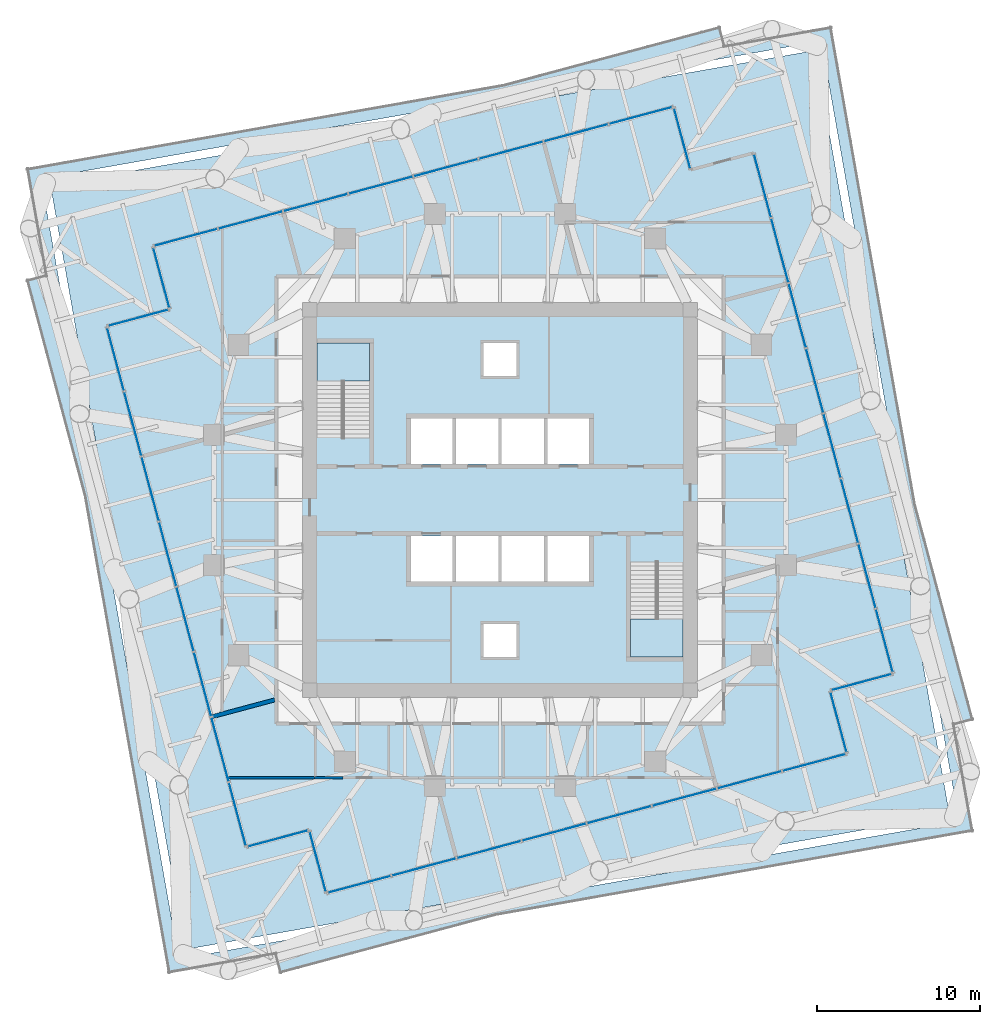
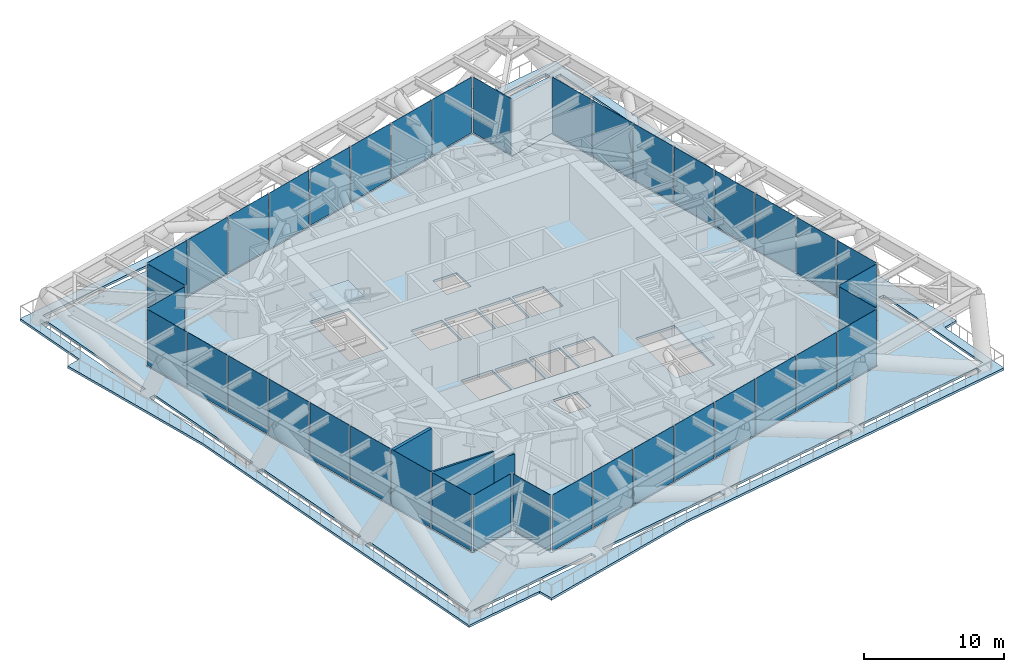
# One storey, part 8 of 14: 39 plates, 4 slabs, 3 walls, 13 elements without a shape of their own.
"""IFC4 building model written with IfcOpenShell, lengths in metres."""

from ifc_helpers import new_model, si_unit, direction, frame, frame_2d, origin, origin_2d, place, context, subcontext, project, spatial, polyline, rectangle, outline, extrude, material, layer, layer_set, type_object, element, aggregate, save


model = new_model("IFC4")

# Units and contexts
model_context = context("Model", 3, precision=1e-05, world=origin(), true_north=direction((0.0, 1.0)))
body_context = subcontext(model_context, "Body", "Model", "MODEL_VIEW")
ifc_project = project(units=[si_unit("LENGTHUNIT", "METRE"), si_unit("AREAUNIT", "SQUARE_METRE"), si_unit("VOLUMEUNIT", "CUBIC_METRE"), si_unit("PLANEANGLEUNIT", "RADIAN"), si_unit("MASSUNIT", "GRAM", prefix="KILO")], contexts=[model_context])

# Site, building, storey
site_placement = place(None, origin())
site = spatial("IfcSite", under=ifc_project, at=site_placement, CompositionType="ELEMENT")
building_placement = place(site_placement, origin())
building = spatial("IfcBuilding", under=site, at=building_placement, Name="Torsade Residences", CompositionType="ELEMENT")
storey_placement = place(building_placement, frame((0.0, 0.0, 106.60009765625)))
storey = spatial("IfcBuildingStorey", under=building, at=storey_placement, Name="L29", CompositionType="ELEMENT", Elevation=106.60009765625)

# Curtain wall, plates
ifc_material_1 = material(Name="Aluminium and glass", Category="aluminium")
curtain_wall_type = type_object("IfcCurtainWallType", Name="TRANSFER LEVEL CURTAIN WALL LOW ZONE", PredefinedType="NOTDEFINED", material=ifc_material_1)
curtain_wall_1_placement = place(storey_placement, origin())
curtain_wall_1 = element("IfcCurtainWall", 1, at=curtain_wall_1_placement, inside=storey, type_object=curtain_wall_type, Name="Curtain wall L29 face 1", PredefinedType="NOTDEFINED")
ifc_material_2 = material(Name="Laminated glass", Category="glass")
ifc_layer_1 = layer(ifc_material_2, 0.02392578125)
ifc_layer_set_1 = layer_set([ifc_layer_1], Name="Laminated glass")
plate_type = type_object("IfcPlateType", Name="CLEAR GLASS PANEL", PredefinedType="CURTAIN_PANEL", material=ifc_layer_set_1)
plate_1_placement = place(storey_placement, frame((31.38427734375, 6.46826171875, 0.119873046875), z_axis=(0.0, 0.0, 1.0), x_axis=(0.965925823899, 0.258819054021, 0.0)))
plate_1 = element("IfcPlate", 2, at=plate_1_placement, type_object=plate_type, Name="Panel 1", PredefinedType="CURTAIN_PANEL", context=body_context, shape_type="SweptSolid", body=[
    extrude(rectangle(XDim=3.97509765625, YDim=0.02392578125, at=origin_2d()), origin(), (0.0, 0.0, 1.0), 4.8798828125),
])
plate_2_placement = place(storey_placement, frame((35.3447265625, 7.529541015625, 0.119873046875), z_axis=(0.0, 0.0, 1.0), x_axis=(0.965925823899, 0.258819054021, 0.0)))
plate_2 = element("IfcPlate", 3, at=plate_2_placement, type_object=plate_type, Name="Panel 2", PredefinedType="CURTAIN_PANEL", context=body_context, shape_type="SweptSolid", body=[
    extrude(rectangle(XDim=4.02490234375, YDim=0.02392578125, at=origin_2d()), origin(), (0.0, 0.0, 1.0), 4.8798828125),
])
plate_3_placement = place(storey_placement, frame((39.3291015625, 8.59716796875, 0.119873046875), z_axis=(0.0, 0.0, 1.0), x_axis=(0.965925823899, 0.258819054021, 0.0)))
plate_3 = element("IfcPlate", 4, at=plate_3_placement, type_object=plate_type, Name="Panel 3", PredefinedType="CURTAIN_PANEL", context=body_context, shape_type="SweptSolid", body=[
    extrude(rectangle(XDim=4.02490234375, YDim=0.02392578125, at=origin_2d()), origin(), (0.0, 0.0, 1.0), 4.8798828125),
])
plate_4_placement = place(storey_placement, frame((43.3134765625, 9.664794921875, 0.119873046875), z_axis=(0.0, 0.0, 1.0), x_axis=(0.965925823899, 0.258819054021, 0.0)))
plate_4 = element("IfcPlate", 5, at=plate_4_placement, type_object=plate_type, Name="Panel 4", PredefinedType="CURTAIN_PANEL", context=body_context, shape_type="SweptSolid", body=[
    extrude(rectangle(XDim=4.02490234375, YDim=0.02392578125, at=origin_2d()), origin(), (0.0, 0.0, 1.0), 4.8798828125),
])
plate_5_placement = place(storey_placement, frame((47.298095703125, 10.732421875, 0.119873046875), z_axis=(0.0, 0.0, 1.0), x_axis=(0.965925823899, 0.258819054021, 0.0)))
plate_5 = element("IfcPlate", 6, at=plate_5_placement, type_object=plate_type, Name="Panel 5", PredefinedType="CURTAIN_PANEL", context=body_context, shape_type="SweptSolid", body=[
    extrude(rectangle(XDim=4.02490234375, YDim=0.02392578125, at=origin_2d()), origin(), (0.0, 0.0, 1.0), 4.8798828125),
])
plate_6_placement = place(storey_placement, frame((51.282470703125, 11.800048828125, 0.119873046875), z_axis=(0.0, 0.0, 1.0), x_axis=(0.965925823899, 0.258819054021, 0.0)))
plate_6 = element("IfcPlate", 7, at=plate_6_placement, type_object=plate_type, Name="Panel 6", PredefinedType="CURTAIN_PANEL", context=body_context, shape_type="SweptSolid", body=[
    extrude(rectangle(XDim=4.02490234375, YDim=0.02392578125, at=origin_2d()), origin(), (0.0, 0.0, 1.0), 4.8798828125),
])
plate_7_placement = place(storey_placement, frame((55.266845703125, 12.86767578125, 0.119873046875), z_axis=(0.0, 0.0, 1.0), x_axis=(0.965925823899, 0.258819054021, 0.0)))
plate_7 = element("IfcPlate", 8, at=plate_7_placement, type_object=plate_type, Name="Panel 7", PredefinedType="CURTAIN_PANEL", context=body_context, shape_type="SweptSolid", body=[
    extrude(rectangle(XDim=4.02490234375, YDim=0.02392578125, at=origin_2d()), origin(), (0.0, 0.0, 1.0), 4.8798828125),
])
plate_8_placement = place(storey_placement, frame((59.227294921875, 13.9287109375, 0.119873046875), z_axis=(0.0, 0.0, 1.0), x_axis=(0.965925823899, 0.258819054021, 0.0)))
plate_8 = element("IfcPlate", 9, at=plate_8_placement, type_object=plate_type, Name="Panel 8", PredefinedType="CURTAIN_PANEL", context=body_context, shape_type="SweptSolid", body=[
    extrude(rectangle(XDim=3.97509765625, YDim=0.02392578125, at=origin_2d()), origin(), (0.0, 0.0, 1.0), 4.8798828125),
])
aggregate(curtain_wall_1, [plate_1, plate_2, plate_3, plate_4, plate_5, plate_6, plate_7, plate_8])

# Curtain wall, plate
curtain_wall_2_placement = place(storey_placement, origin())
curtain_wall_2 = element("IfcCurtainWall", 10, at=curtain_wall_2_placement, inside=storey, type_object=curtain_wall_type, Name="Curtain wall L29 face 2", PredefinedType="NOTDEFINED")
plate_9_placement = place(storey_placement, frame((60.725830078125, 16.40087890625, 0.119873046875), z_axis=(0.0, 0.0, 1.0), x_axis=(-0.258819255346, 0.965925769954, 0.0)))
plate_9 = element("IfcPlate", 11, at=plate_9_placement, type_object=plate_type, Name="Panel 1", PredefinedType="CURTAIN_PANEL", context=body_context, shape_type="SweptSolid", body=[
    extrude(rectangle(XDim=3.800048828125, YDim=0.02392578125, at=origin_2d()), origin(), (0.0, 0.0, 1.0), 4.8798828125),
])
aggregate(curtain_wall_2, [plate_9])

curtain_wall_3_placement = place(storey_placement, origin())
curtain_wall_3 = element("IfcCurtainWall", 12, at=curtain_wall_3_placement, inside=storey, type_object=curtain_wall_type, Name="Curtain wall L29 face 3", PredefinedType="NOTDEFINED")
plate_10_placement = place(storey_placement, frame((62.14013671875, 18.850341796875, 0.119873046875), z_axis=(0.0, 0.0, 1.0), x_axis=(0.965925849201, 0.258818959596, 0.0)))
plate_10 = element("IfcPlate", 13, at=plate_10_placement, type_object=plate_type, Name="Panel 1", PredefinedType="CURTAIN_PANEL", context=body_context, shape_type="SweptSolid", body=[
    extrude(rectangle(XDim=3.800048828125, YDim=0.02392578125, at=origin_2d()), origin(), (0.0, 0.0, 1.0), 4.8798828125),
])
aggregate(curtain_wall_3, [plate_10])

# Curtain wall, plates
curtain_wall_4_placement = place(storey_placement, origin())
curtain_wall_4 = element("IfcCurtainWall", 14, at=curtain_wall_4_placement, inside=storey, type_object=curtain_wall_type, Name="Curtain wall L29 face 4", PredefinedType="NOTDEFINED")
plate_11_placement = place(storey_placement, frame((63.53173828125, 21.38427734375, 0.119873046875), z_axis=(0.0, 0.0, 1.0), x_axis=(-0.258819054021, 0.965925823899, 0.0)))
plate_11 = element("IfcPlate", 15, at=plate_11_placement, type_object=plate_type, Name="Panel 1", PredefinedType="CURTAIN_PANEL", context=body_context, shape_type="SweptSolid", body=[
    extrude(rectangle(XDim=3.97509765625, YDim=0.02392578125, at=origin_2d()), origin(), (0.0, 0.0, 1.0), 4.8798828125),
])
plate_12_placement = place(storey_placement, frame((62.470458984375, 25.3447265625, 0.119873046875), z_axis=(0.0, 0.0, 1.0), x_axis=(-0.258819054021, 0.965925823899, 0.0)))
plate_12 = element("IfcPlate", 16, at=plate_12_placement, type_object=plate_type, Name="Panel 2", PredefinedType="CURTAIN_PANEL", context=body_context, shape_type="SweptSolid", body=[
    extrude(rectangle(XDim=4.02490234375, YDim=0.02392578125, at=origin_2d()), origin(), (0.0, 0.0, 1.0), 4.8798828125),
])
plate_13_placement = place(storey_placement, frame((61.40283203125, 29.3291015625, 0.119873046875), z_axis=(0.0, 0.0, 1.0), x_axis=(-0.258819054021, 0.965925823899, 0.0)))
plate_13 = element("IfcPlate", 17, at=plate_13_placement, type_object=plate_type, Name="Panel 3", PredefinedType="CURTAIN_PANEL", context=body_context, shape_type="SweptSolid", body=[
    extrude(rectangle(XDim=4.02490234375, YDim=0.02392578125, at=origin_2d()), origin(), (0.0, 0.0, 1.0), 4.8798828125),
])
plate_14_placement = place(storey_placement, frame((60.335205078125, 33.3134765625, 0.119873046875), z_axis=(0.0, 0.0, 1.0), x_axis=(-0.258819054021, 0.965925823899, 0.0)))
plate_14 = element("IfcPlate", 18, at=plate_14_placement, type_object=plate_type, Name="Panel 4", PredefinedType="CURTAIN_PANEL", context=body_context, shape_type="SweptSolid", body=[
    extrude(rectangle(XDim=4.02490234375, YDim=0.02392578125, at=origin_2d()), origin(), (0.0, 0.0, 1.0), 4.8798828125),
])
plate_15_placement = place(storey_placement, frame((59.267578125, 37.298095703125, 0.119873046875), z_axis=(0.0, 0.0, 1.0), x_axis=(-0.258819054021, 0.965925823899, 0.0)))
plate_15 = element("IfcPlate", 19, at=plate_15_placement, type_object=plate_type, Name="Panel 5", PredefinedType="CURTAIN_PANEL", context=body_context, shape_type="SweptSolid", body=[
    extrude(rectangle(XDim=4.02490234375, YDim=0.02392578125, at=origin_2d()), origin(), (0.0, 0.0, 1.0), 4.8798828125),
])
plate_16_placement = place(storey_placement, frame((58.199951171875, 41.282470703125, 0.119873046875), z_axis=(0.0, 0.0, 1.0), x_axis=(-0.258819054021, 0.965925823899, 0.0)))
plate_16 = element("IfcPlate", 20, at=plate_16_placement, type_object=plate_type, Name="Panel 6", PredefinedType="CURTAIN_PANEL", context=body_context, shape_type="SweptSolid", body=[
    extrude(rectangle(XDim=4.02490234375, YDim=0.02392578125, at=origin_2d()), origin(), (0.0, 0.0, 1.0), 4.8798828125),
])
plate_17_placement = place(storey_placement, frame((57.13232421875, 45.266845703125, 0.119873046875), z_axis=(0.0, 0.0, 1.0), x_axis=(-0.258819054021, 0.965925823899, 0.0)))
plate_17 = element("IfcPlate", 21, at=plate_17_placement, type_object=plate_type, Name="Panel 7", PredefinedType="CURTAIN_PANEL", context=body_context, shape_type="SweptSolid", body=[
    extrude(rectangle(XDim=4.02490234375, YDim=0.02392578125, at=origin_2d()), origin(), (0.0, 0.0, 1.0), 4.8798828125),
])
plate_18_placement = place(storey_placement, frame((56.0712890625, 49.227294921875, 0.119873046875), z_axis=(0.0, 0.0, 1.0), x_axis=(-0.258819054021, 0.965925823899, 0.0)))
plate_18 = element("IfcPlate", 22, at=plate_18_placement, type_object=plate_type, Name="Panel 8", PredefinedType="CURTAIN_PANEL", context=body_context, shape_type="SweptSolid", body=[
    extrude(rectangle(XDim=3.97509765625, YDim=0.02392578125, at=origin_2d()), origin(), (0.0, 0.0, 1.0), 4.8798828125),
])
aggregate(curtain_wall_4, [plate_11, plate_12, plate_13, plate_14, plate_15, plate_16, plate_17, plate_18])

# Curtain wall, plate
curtain_wall_5_placement = place(storey_placement, origin())
curtain_wall_5 = element("IfcCurtainWall", 23, at=curtain_wall_5_placement, inside=storey, type_object=curtain_wall_type, Name="Curtain wall L29 face 6", PredefinedType="NOTDEFINED")
plate_19_placement = place(storey_placement, frame((51.149658203125, 52.14013671875, 0.119873046875), z_axis=(0.0, 0.0, 1.0), x_axis=(-0.258818959596, 0.965925849201, 0.0)))
plate_19 = element("IfcPlate", 24, at=plate_19_placement, type_object=plate_type, Name="Panel 1", PredefinedType="CURTAIN_PANEL", context=body_context, shape_type="SweptSolid", body=[
    extrude(rectangle(XDim=3.800048828125, YDim=0.02392578125, at=origin_2d()), origin(), (0.0, 0.0, 1.0), 4.8798828125),
])
aggregate(curtain_wall_5, [plate_19])

# Curtain wall, plates
curtain_wall_6_placement = place(storey_placement, origin())
curtain_wall_6 = element("IfcCurtainWall", 25, at=curtain_wall_6_placement, inside=storey, type_object=curtain_wall_type, Name="Curtain wall L29 face 7", PredefinedType="NOTDEFINED")
plate_20_placement = place(storey_placement, frame((48.61572265625, 53.53173828125, 0.119873046875), z_axis=(0.0, 0.0, 1.0), x_axis=(-0.965925823899, -0.258819054021, 0.0)))
plate_20 = element("IfcPlate", 26, at=plate_20_placement, type_object=plate_type, Name="Panel 1", PredefinedType="CURTAIN_PANEL", context=body_context, shape_type="SweptSolid", body=[
    extrude(rectangle(XDim=3.97509765625, YDim=0.02392578125, at=origin_2d()), origin(), (0.0, 0.0, 1.0), 4.8798828125),
])
plate_21_placement = place(storey_placement, frame((44.6552734375, 52.470458984375, 0.119873046875), z_axis=(0.0, 0.0, 1.0), x_axis=(-0.965925823899, -0.258819054021, 0.0)))
plate_21 = element("IfcPlate", 27, at=plate_21_placement, type_object=plate_type, Name="Panel 2", PredefinedType="CURTAIN_PANEL", context=body_context, shape_type="SweptSolid", body=[
    extrude(rectangle(XDim=4.02490234375, YDim=0.02392578125, at=origin_2d()), origin(), (0.0, 0.0, 1.0), 4.8798828125),
])
plate_22_placement = place(storey_placement, frame((40.6708984375, 51.40283203125, 0.119873046875), z_axis=(0.0, 0.0, 1.0), x_axis=(-0.965925823899, -0.258819054021, 0.0)))
plate_22 = element("IfcPlate", 28, at=plate_22_placement, type_object=plate_type, Name="Panel 3", PredefinedType="CURTAIN_PANEL", context=body_context, shape_type="SweptSolid", body=[
    extrude(rectangle(XDim=4.02490234375, YDim=0.02392578125, at=origin_2d()), origin(), (0.0, 0.0, 1.0), 4.8798828125),
])
plate_23_placement = place(storey_placement, frame((36.6865234375, 50.335205078125, 0.119873046875), z_axis=(0.0, 0.0, 1.0), x_axis=(-0.965925823899, -0.258819054021, 0.0)))
plate_23 = element("IfcPlate", 29, at=plate_23_placement, type_object=plate_type, Name="Panel 4", PredefinedType="CURTAIN_PANEL", context=body_context, shape_type="SweptSolid", body=[
    extrude(rectangle(XDim=4.02490234375, YDim=0.02392578125, at=origin_2d()), origin(), (0.0, 0.0, 1.0), 4.8798828125),
])
plate_24_placement = place(storey_placement, frame((32.701904296875, 49.267578125, 0.119873046875), z_axis=(0.0, 0.0, 1.0), x_axis=(-0.965925823899, -0.258819054021, 0.0)))
plate_24 = element("IfcPlate", 30, at=plate_24_placement, type_object=plate_type, Name="Panel 5", PredefinedType="CURTAIN_PANEL", context=body_context, shape_type="SweptSolid", body=[
    extrude(rectangle(XDim=4.02490234375, YDim=0.02392578125, at=origin_2d()), origin(), (0.0, 0.0, 1.0), 4.8798828125),
])
plate_25_placement = place(storey_placement, frame((28.717529296875, 48.199951171875, 0.119873046875), z_axis=(0.0, 0.0, 1.0), x_axis=(-0.965925823899, -0.258819054021, 0.0)))
plate_25 = element("IfcPlate", 31, at=plate_25_placement, type_object=plate_type, Name="Panel 6", PredefinedType="CURTAIN_PANEL", context=body_context, shape_type="SweptSolid", body=[
    extrude(rectangle(XDim=4.02490234375, YDim=0.02392578125, at=origin_2d()), origin(), (0.0, 0.0, 1.0), 4.8798828125),
])
plate_26_placement = place(storey_placement, frame((24.733154296875, 47.13232421875, 0.119873046875), z_axis=(0.0, 0.0, 1.0), x_axis=(-0.965925823899, -0.258819054021, 0.0)))
plate_26 = element("IfcPlate", 32, at=plate_26_placement, type_object=plate_type, Name="Panel 7", PredefinedType="CURTAIN_PANEL", context=body_context, shape_type="SweptSolid", body=[
    extrude(rectangle(XDim=4.02490234375, YDim=0.02392578125, at=origin_2d()), origin(), (0.0, 0.0, 1.0), 4.8798828125),
])
plate_27_placement = place(storey_placement, frame((20.772705078125, 46.0712890625, 0.119873046875), z_axis=(0.0, 0.0, 1.0), x_axis=(-0.965925823899, -0.258819054021, 0.0)))
plate_27 = element("IfcPlate", 33, at=plate_27_placement, type_object=plate_type, Name="Panel 8", PredefinedType="CURTAIN_PANEL", context=body_context, shape_type="SweptSolid", body=[
    extrude(rectangle(XDim=3.97509765625, YDim=0.02392578125, at=origin_2d()), origin(), (0.0, 0.0, 1.0), 4.8798828125),
])
aggregate(curtain_wall_6, [plate_20, plate_21, plate_22, plate_23, plate_24, plate_25, plate_26, plate_27])

# Curtain wall, plate
curtain_wall_7_placement = place(storey_placement, origin())
curtain_wall_7 = element("IfcCurtainWall", 34, at=curtain_wall_7_placement, inside=storey, type_object=curtain_wall_type, Name="Curtain wall L29 face 8", PredefinedType="NOTDEFINED")
plate_28_placement = place(storey_placement, frame((19.274169921875, 43.59912109375, 0.119873046875), z_axis=(0.0, 0.0, 1.0), x_axis=(0.258819255346, -0.965925769954, 0.0)))
plate_28 = element("IfcPlate", 35, at=plate_28_placement, type_object=plate_type, Name="Panel 1", PredefinedType="CURTAIN_PANEL", context=body_context, shape_type="SweptSolid", body=[
    extrude(rectangle(XDim=3.800048828125, YDim=0.02392578125, at=origin_2d()), origin(), (0.0, 0.0, 1.0), 4.8798828125),
])
aggregate(curtain_wall_7, [plate_28])

curtain_wall_8_placement = place(storey_placement, origin())
curtain_wall_8 = element("IfcCurtainWall", 36, at=curtain_wall_8_placement, inside=storey, type_object=curtain_wall_type, Name="Curtain wall L29 face 9", PredefinedType="NOTDEFINED")
plate_29_placement = place(storey_placement, frame((17.85986328125, 41.149658203125, 0.119873046875), z_axis=(0.0, 0.0, 1.0), x_axis=(-0.965925849201, -0.258818959596, 0.0)))
plate_29 = element("IfcPlate", 37, at=plate_29_placement, type_object=plate_type, Name="Panel 1", PredefinedType="CURTAIN_PANEL", context=body_context, shape_type="SweptSolid", body=[
    extrude(rectangle(XDim=3.800048828125, YDim=0.02392578125, at=origin_2d()), origin(), (0.0, 0.0, 1.0), 4.8798828125),
])
aggregate(curtain_wall_8, [plate_29])

# Curtain wall, plates
curtain_wall_9_placement = place(storey_placement, origin())
curtain_wall_9 = element("IfcCurtainWall", 38, at=curtain_wall_9_placement, inside=storey, type_object=curtain_wall_type, Name="Curtain wall L29 face 10", PredefinedType="NOTDEFINED")
plate_30_placement = place(storey_placement, frame((16.46826171875, 38.61572265625, 0.119873046875), z_axis=(0.0, 0.0, 1.0), x_axis=(0.258819054021, -0.965925823899, 0.0)))
plate_30 = element("IfcPlate", 39, at=plate_30_placement, type_object=plate_type, Name="Panel 1", PredefinedType="CURTAIN_PANEL", context=body_context, shape_type="SweptSolid", body=[
    extrude(rectangle(XDim=3.97509765625, YDim=0.02392578125, at=origin_2d()), origin(), (0.0, 0.0, 1.0), 4.8798828125),
])
plate_31_placement = place(storey_placement, frame((17.529541015625, 34.6552734375, 0.119873046875), z_axis=(0.0, 0.0, 1.0), x_axis=(0.258819054021, -0.965925823899, 0.0)))
plate_31 = element("IfcPlate", 40, at=plate_31_placement, type_object=plate_type, Name="Panel 2", PredefinedType="CURTAIN_PANEL", context=body_context, shape_type="SweptSolid", body=[
    extrude(rectangle(XDim=4.02490234375, YDim=0.02392578125, at=origin_2d()), origin(), (0.0, 0.0, 1.0), 4.8798828125),
])
plate_32_placement = place(storey_placement, frame((18.59716796875, 30.6708984375, 0.119873046875), z_axis=(0.0, 0.0, 1.0), x_axis=(0.258819054021, -0.965925823899, 0.0)))
plate_32 = element("IfcPlate", 41, at=plate_32_placement, type_object=plate_type, Name="Panel 3", PredefinedType="CURTAIN_PANEL", context=body_context, shape_type="SweptSolid", body=[
    extrude(rectangle(XDim=4.02490234375, YDim=0.02392578125, at=origin_2d()), origin(), (0.0, 0.0, 1.0), 4.8798828125),
])
plate_33_placement = place(storey_placement, frame((19.664794921875, 26.6865234375, 0.119873046875), z_axis=(0.0, 0.0, 1.0), x_axis=(0.258819054021, -0.965925823899, 0.0)))
plate_33 = element("IfcPlate", 42, at=plate_33_placement, type_object=plate_type, Name="Panel 4", PredefinedType="CURTAIN_PANEL", context=body_context, shape_type="SweptSolid", body=[
    extrude(rectangle(XDim=4.02490234375, YDim=0.02392578125, at=origin_2d()), origin(), (0.0, 0.0, 1.0), 4.8798828125),
])
plate_34_placement = place(storey_placement, frame((20.732421875, 22.701904296875, 0.119873046875), z_axis=(0.0, 0.0, 1.0), x_axis=(0.258819054021, -0.965925823899, 0.0)))
plate_34 = element("IfcPlate", 43, at=plate_34_placement, type_object=plate_type, Name="Panel 5", PredefinedType="CURTAIN_PANEL", context=body_context, shape_type="SweptSolid", body=[
    extrude(rectangle(XDim=4.02490234375, YDim=0.02392578125, at=origin_2d()), origin(), (0.0, 0.0, 1.0), 4.8798828125),
])
plate_35_placement = place(storey_placement, frame((21.800048828125, 18.717529296875, 0.119873046875), z_axis=(0.0, 0.0, 1.0), x_axis=(0.258819054021, -0.965925823899, 0.0)))
plate_35 = element("IfcPlate", 44, at=plate_35_placement, type_object=plate_type, Name="Panel 6", PredefinedType="CURTAIN_PANEL", context=body_context, shape_type="SweptSolid", body=[
    extrude(rectangle(XDim=4.02490234375, YDim=0.02392578125, at=origin_2d()), origin(), (0.0, 0.0, 1.0), 4.8798828125),
])
plate_36_placement = place(storey_placement, frame((22.86767578125, 14.733154296875, 0.119873046875), z_axis=(0.0, 0.0, 1.0), x_axis=(0.258819054021, -0.965925823899, 0.0)))
plate_36 = element("IfcPlate", 45, at=plate_36_placement, type_object=plate_type, Name="Panel 7", PredefinedType="CURTAIN_PANEL", context=body_context, shape_type="SweptSolid", body=[
    extrude(rectangle(XDim=4.02490234375, YDim=0.02392578125, at=origin_2d()), origin(), (0.0, 0.0, 1.0), 4.8798828125),
])
plate_37_placement = place(storey_placement, frame((23.9287109375, 10.772705078125, 0.119873046875), z_axis=(0.0, 0.0, 1.0), x_axis=(0.258819054021, -0.965925823899, 0.0)))
plate_37 = element("IfcPlate", 46, at=plate_37_placement, type_object=plate_type, Name="Panel 8", PredefinedType="CURTAIN_PANEL", context=body_context, shape_type="SweptSolid", body=[
    extrude(rectangle(XDim=3.97509765625, YDim=0.02392578125, at=origin_2d()), origin(), (0.0, 0.0, 1.0), 4.8798828125),
])
aggregate(curtain_wall_9, [plate_30, plate_31, plate_32, plate_33, plate_34, plate_35, plate_36, plate_37])

# Curtain wall, plate
curtain_wall_10_placement = place(storey_placement, origin())
curtain_wall_10 = element("IfcCurtainWall", 47, at=curtain_wall_10_placement, inside=storey, type_object=curtain_wall_type, Name="Curtain wall L29 face 11", PredefinedType="NOTDEFINED")
plate_38_placement = place(storey_placement, frame((26.40087890625, 9.274169921875, 0.119873046875), z_axis=(0.0, 0.0, 1.0), x_axis=(0.965925769954, 0.258819255346, 0.0)))
plate_38 = element("IfcPlate", 48, at=plate_38_placement, type_object=plate_type, Name="Panel 1", PredefinedType="CURTAIN_PANEL", context=body_context, shape_type="SweptSolid", body=[
    extrude(rectangle(XDim=3.800048828125, YDim=0.02392578125, at=origin_2d()), origin(), (0.0, 0.0, 1.0), 4.8798828125),
])
aggregate(curtain_wall_10, [plate_38])

curtain_wall_11_placement = place(storey_placement, origin())
curtain_wall_11 = element("IfcCurtainWall", 49, at=curtain_wall_11_placement, inside=storey, type_object=curtain_wall_type, Name="Curtain wall L29 face 12", PredefinedType="NOTDEFINED")
plate_39_placement = place(storey_placement, frame((28.850341796875, 7.85986328125, 0.119873046875), z_axis=(0.0, 0.0, 1.0), x_axis=(0.258818959596, -0.965925849201, 0.0)))
plate_39 = element("IfcPlate", 50, at=plate_39_placement, type_object=plate_type, Name="Panel 1", PredefinedType="CURTAIN_PANEL", context=body_context, shape_type="SweptSolid", body=[
    extrude(rectangle(XDim=3.800048828125, YDim=0.02392578125, at=origin_2d()), origin(), (0.0, 0.0, 1.0), 4.8798828125),
])
aggregate(curtain_wall_11, [plate_39])

# Stair, slab
ifc_material_3 = material(Name="Precast concrete 40 MPa", Category="concrete")
stair_type = type_object("IfcStairType", Name="HALF-TURN FIRE STAIR 1500x5000", PredefinedType="HALF_TURN_STAIR", material=ifc_material_3)
stair_1_placement = place(storey_placement, origin())
stair_1 = element("IfcStair", 51, at=stair_1_placement, inside=storey, type_object=stair_type, Name="Stair ST1 L29", PredefinedType="HALF_TURN_STAIR")
ifc_material_4 = material(Name="Precast concrete 40 MPa", Category="concrete")
ifc_layer_2 = layer(ifc_material_4, 0.179931640625)
ifc_layer_set_2 = layer_set([ifc_layer_2], Name="Precast concrete 40 MPa")
slab_type_1 = type_object("IfcSlabType", Name="PRECAST STAIR LANDING 180", PredefinedType="LANDING", material=ifc_layer_set_2)
slab_1_placement = place(storey_placement, frame((0.0, 0.0, 2.31982421875)))
slab_1 = element("IfcSlab", 52, at=slab_1_placement, type_object=slab_type_1, Name="ST1 landing 1", PredefinedType="LANDING", context=body_context, shape_type="SweptSolid", body=[
    extrude(outline(polyline([(28.800048828125, 37.2900390625), (32.0, 37.2900390625), (32.0, 39.60009765625), (28.800048828125, 39.60009765625), (28.800048828125, 37.2900390625)])), origin(), (0.0, 0.0, 1.0), 0.18017578125),
])
aggregate(stair_1, [slab_1])

stair_2_placement = place(storey_placement, origin())
stair_2 = element("IfcStair", 53, at=stair_2_placement, inside=storey, type_object=stair_type, Name="Stair ST2 L29", PredefinedType="HALF_TURN_STAIR")
slab_2_placement = place(storey_placement, frame((0.0, 0.0, 2.31982421875)))
slab_2 = element("IfcSlab", 54, at=slab_2_placement, type_object=slab_type_1, Name="ST2 landing 1", PredefinedType="LANDING", context=body_context, shape_type="SweptSolid", body=[
    extrude(outline(polyline([(48.0, 20.39990234375), (51.199951171875, 20.39990234375), (51.199951171875, 22.7099609375), (48.0, 22.7099609375), (48.0, 20.39990234375)])), origin(), (0.0, 0.0, 1.0), 0.18017578125),
])
aggregate(stair_2, [slab_2])

# Slabs
ifc_material_5 = material(Name="Concrete 40 MPa", Category="concrete")
ifc_layer_3 = layer(ifc_material_5, 0.199951171875)
ifc_layer_set_3 = layer_set([ifc_layer_3], Name="Concrete 40 MPa")
slab_type_2 = type_object("IfcSlabType", Name="TRANSFER FLOOR SLAB 200", PredefinedType="FLOOR", material=ifc_layer_set_3)
slab_3_placement = place(storey_placement, frame((0.0, 0.0, -0.2001953125)))
element("IfcSlab", 55, at=slab_3_placement, inside=storey, type_object=slab_type_2, Name="Floor slab L29", PredefinedType="FLOOR", context=body_context, shape_type="SweptSolid", body=[
    extrude(outline(polyline([(29.367919921875, 5.927978515625), (61.24365234375, 14.468994140625), (60.208251953125, 18.332763671875), (64.072021484375, 19.367919921875), (55.531005859375, 51.24365234375), (51.667236328125, 50.208251953125), (50.632080078125, 54.072021484375), (18.75634765625, 45.531005859375), (19.791748046875, 41.667236328125), (15.927978515625, 40.632080078125), (24.468994140625, 8.75634765625), (28.332763671875, 9.791748046875), (29.367919921875, 5.927978515625)]), holes=[polyline([(51.199951171875, 20.39990234375), (51.199951171875, 26.1201171875), (48.0, 26.1201171875), (48.0, 20.39990234375), (51.199951171875, 20.39990234375)]), polyline([(45.5, 27.800048828125), (42.89990234375, 27.800048828125), (42.89990234375, 25.0), (45.5, 25.0), (45.5, 27.800048828125)]), polyline([(45.5, 32.199951171875), (45.5, 35.0), (42.89990234375, 35.0), (42.89990234375, 32.199951171875), (45.5, 32.199951171875)]), polyline([(42.699951171875, 25.0), (42.699951171875, 27.800048828125), (40.10009765625, 27.800048828125), (40.10009765625, 25.0), (42.699951171875, 25.0)]), polyline([(42.699951171875, 32.199951171875), (42.699951171875, 35.0), (40.10009765625, 35.0), (40.10009765625, 32.199951171875), (42.699951171875, 32.199951171875)]), polyline([(41.0, 22.39990234375), (39.0, 22.39990234375), (39.0, 20.39990234375), (41.0, 20.39990234375), (41.0, 22.39990234375)]), polyline([(41.0, 37.60009765625), (41.0, 39.60009765625), (39.0, 39.60009765625), (39.0, 37.60009765625), (41.0, 37.60009765625)]), polyline([(39.89990234375, 25.0), (39.89990234375, 27.800048828125), (37.300048828125, 27.800048828125), (37.300048828125, 25.0), (39.89990234375, 25.0)]), polyline([(39.89990234375, 35.0), (37.300048828125, 35.0), (37.300048828125, 32.199951171875), (39.89990234375, 32.199951171875), (39.89990234375, 35.0)]), polyline([(37.10009765625, 27.800048828125), (34.5, 27.800048828125), (34.5, 25.0), (37.10009765625, 25.0), (37.10009765625, 27.800048828125)]), polyline([(37.10009765625, 32.199951171875), (37.10009765625, 35.0), (34.5, 35.0), (34.5, 32.199951171875), (37.10009765625, 32.199951171875)]), polyline([(32.0, 33.8798828125), (32.0, 39.60009765625), (28.800048828125, 39.60009765625), (28.800048828125, 33.8798828125), (32.0, 33.8798828125)])]), origin(), (0.0, 0.0, 1.0), 0.2001953125),
])
ifc_material_6 = material(Name="Concrete 40 MPa", Category="concrete")
ifc_layer_4 = layer(ifc_material_6, 0.199951171875)
ifc_layer_set_4 = layer_set([ifc_layer_4], Name="Concrete 40 MPa")
slab_type_3 = type_object("IfcSlabType", Name="TRANSFER LEDGE SLAB 200", PredefinedType="ROOF", material=ifc_layer_set_4)
slab_4_placement = place(storey_placement, frame((0.0, 0.0, -0.2001953125)))
element("IfcSlab", 56, at=slab_4_placement, inside=storey, type_object=slab_type_3, Name="Transfer ledge slab L29 north-east", PredefinedType="ROOF", context=body_context, shape_type="SweptSolid", body=[
    extrude(outline(polyline([(14.5732421875, 30.233642578125), (19.720947265625, 1.03857421875), (26.2294921875, 2.186279296875), (26.53955078125, 1.029052734375), (39.766357421875, 4.5732421875), (68.96142578125, 9.720947265625), (67.813720703125, 16.2294921875), (68.970947265625, 16.53955078125), (65.4267578125, 29.766357421875), (60.279052734375, 58.96142578125), (53.7705078125, 57.813720703125), (53.46044921875, 58.970947265625), (40.233642578125, 55.4267578125), (11.03857421875, 50.279052734375), (12.186279296875, 43.7705078125), (11.029052734375, 43.46044921875), (14.5732421875, 30.233642578125)]), holes=[polyline([(65.559814453125, 21.81396484375), (67.469970703125, 10.981201171875), (67.96240234375, 11.06787109375), (66.05224609375, 21.90087890625), (65.559814453125, 21.81396484375)]), polyline([(56.434326171875, 8.781494140625), (56.52099609375, 8.2890625), (67.35400390625, 10.19921875), (67.26708984375, 10.691650390625), (56.434326171875, 8.781494140625)]), polyline([(65.7216796875, 13.21142578125), (67.035888671875, 13.443115234375), (65.7216796875, 13.21142578125), (65.7216796875, 13.21142578125)]), polyline([(65.38623046875, 22.798828125), (65.878662109375, 22.8857421875), (63.968505859375, 33.718505859375), (63.47607421875, 33.6318359375), (65.38623046875, 22.798828125)]), polyline([(60.208251953125, 18.332763671875), (64.072021484375, 19.367919921875), (55.531005859375, 51.24365234375), (51.667236328125, 50.208251953125), (50.632080078125, 54.072021484375), (18.75634765625, 45.531005859375), (19.791748046875, 41.667236328125), (15.927978515625, 40.632080078125), (24.468994140625, 8.75634765625), (28.332763671875, 9.791748046875), (29.367919921875, 5.927978515625), (61.24365234375, 14.468994140625), (60.208251953125, 18.332763671875)]), polyline([(63.30224609375, 34.616455078125), (63.794677734375, 34.703369140625), (61.884521484375, 45.536376953125), (61.392333984375, 45.449462890625), (63.30224609375, 34.616455078125)]), polyline([(61.218505859375, 46.434326171875), (61.7109375, 46.52099609375), (59.80078125, 57.35400390625), (59.308349609375, 57.26708984375), (61.218505859375, 46.434326171875)]), polyline([(59.018798828125, 57.469970703125), (58.93212890625, 57.96240234375), (48.09912109375, 56.05224609375), (48.18603515625, 55.559814453125), (59.018798828125, 57.469970703125)]), polyline([(44.616455078125, 6.69775390625), (44.703369140625, 6.205322265625), (55.536376953125, 8.115478515625), (55.449462890625, 8.607666015625), (44.616455078125, 6.69775390625)]), polyline([(47.201171875, 55.38623046875), (47.1142578125, 55.878662109375), (36.281494140625, 53.968505859375), (36.3681640625, 53.47607421875), (47.201171875, 55.38623046875)]), polyline([(32.798828125, 4.61376953125), (32.8857421875, 4.121337890625), (43.718505859375, 6.031494140625), (43.6318359375, 6.52392578125), (32.798828125, 4.61376953125)]), polyline([(35.383544921875, 53.30224609375), (35.296630859375, 53.794677734375), (24.463623046875, 51.884521484375), (24.550537109375, 51.392333984375), (35.383544921875, 53.30224609375)]), polyline([(20.981201171875, 2.530029296875), (21.06787109375, 2.03759765625), (31.90087890625, 3.94775390625), (31.81396484375, 4.440185546875), (20.981201171875, 2.530029296875)]), polyline([(23.565673828125, 51.218505859375), (23.47900390625, 51.7109375), (12.64599609375, 49.80078125), (12.73291015625, 49.308349609375), (23.565673828125, 51.218505859375)]), polyline([(18.781494140625, 13.565673828125), (18.2890625, 13.47900390625), (20.19921875, 2.64599609375), (20.691650390625, 2.73291015625), (18.781494140625, 13.565673828125)]), polyline([(16.69775390625, 25.383544921875), (16.205322265625, 25.296630859375), (18.115478515625, 14.463623046875), (18.607666015625, 14.550537109375), (16.69775390625, 25.383544921875)]), polyline([(14.61376953125, 37.201171875), (14.121337890625, 37.1142578125), (16.031494140625, 26.281494140625), (16.52392578125, 26.3681640625), (14.61376953125, 37.201171875)]), polyline([(12.530029296875, 49.018798828125), (12.03759765625, 48.93212890625), (13.94775390625, 38.09912109375), (14.440185546875, 38.18603515625), (12.530029296875, 49.018798828125)])]), origin(), (0.0, 0.0, 1.0), 0.2001953125),
])

# Walls
ifc_material_7 = material(Name="Masonry-lined stud party wall", Category="masonry")
ifc_layer_5 = layer(ifc_material_7, 0.25)
ifc_layer_set_5 = layer_set([ifc_layer_5], Name="Masonry-lined stud party wall")
wall_type_1 = type_object("IfcWallType", Name="PARTY WALL 250", PredefinedType="PARTITIONING", material=ifc_layer_set_5)
wall_1_placement = place(storey_placement, frame((22.333740234375, 16.725341796875, 0.0), z_axis=(0.0, 0.0, 1.0), x_axis=(0.96592902462, 0.258807108475, 0.0)))
element("IfcWall", 57, at=wall_1_placement, inside=storey, type_object=wall_type_1, Name="Party wall L29", PredefinedType="PARTITIONING", context=body_context, shape_type="SweptSolid", body=[
    extrude(rectangle(XDim=4.009033203125, YDim=0.25, at=frame_2d((2.00439453125, 0.0))), origin(), (0.0, 0.0, 1.0), 4.849853515625),
])
ifc_material_8 = material(Name="Reinforced blockwork", Category="masonry")
ifc_layer_6 = layer(ifc_material_8, 0.14990234375)
ifc_layer_set_6 = layer_set([ifc_layer_6], Name="Reinforced blockwork")
wall_type_2 = type_object("IfcWallType", Name="SERVICE ROOM WALL 150", PredefinedType="SOLIDWALL", material=ifc_layer_set_6)
wall_2_placement = place(storey_placement, frame((30.379638671875, 13.0, 0.0), z_axis=(0.0, 0.0, 1.0), x_axis=(-1.0, 0.0, 0.0)))
element("IfcWall", 58, at=wall_2_placement, inside=storey, type_object=wall_type_2, Name="Service room wall L29", PredefinedType="SOLIDWALL", context=body_context, shape_type="SweptSolid", body=[
    extrude(rectangle(XDim=1.718994140625, YDim=0.14990234375, at=frame_2d((0.859375, 0.0))), origin(), (0.0, 0.0, 1.0), 4.048828125),
])
wall_3_placement = place(storey_placement, frame((28.66064453125, 13.0, 0.0), z_axis=(0.0, 0.0, 1.0), x_axis=(-1.0, 0.0, 0.0)))
element("IfcWall", 59, at=wall_3_placement, inside=storey, type_object=wall_type_2, Name="Service room wall L29", PredefinedType="SOLIDWALL", context=body_context, shape_type="SweptSolid", body=[
    extrude(rectangle(XDim=5.287353515625, YDim=0.14990234375, at=frame_2d((2.6435546875, 0.0))), origin(), (0.0, 0.0, 1.0), 4.849853515625),
])

save(model, "model.ifc")
